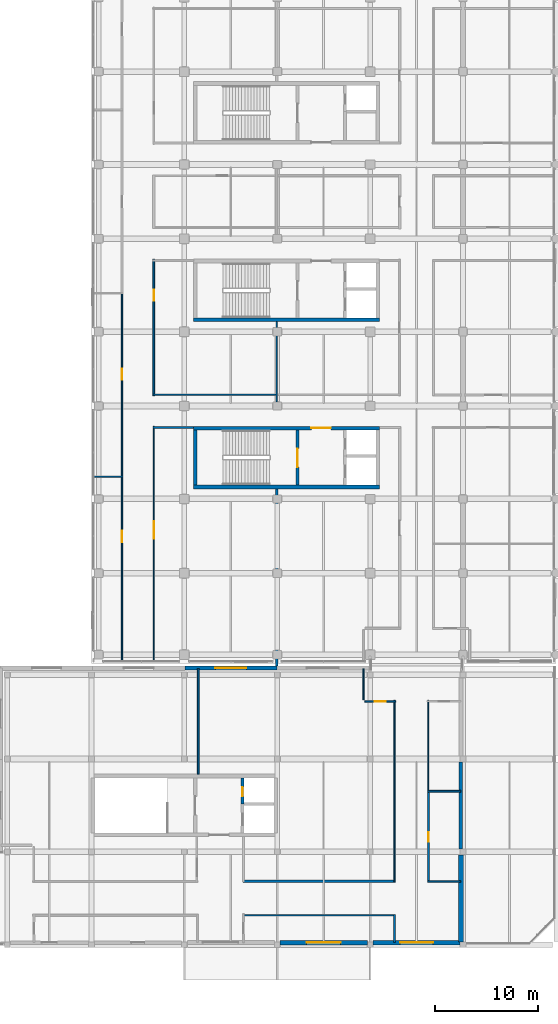
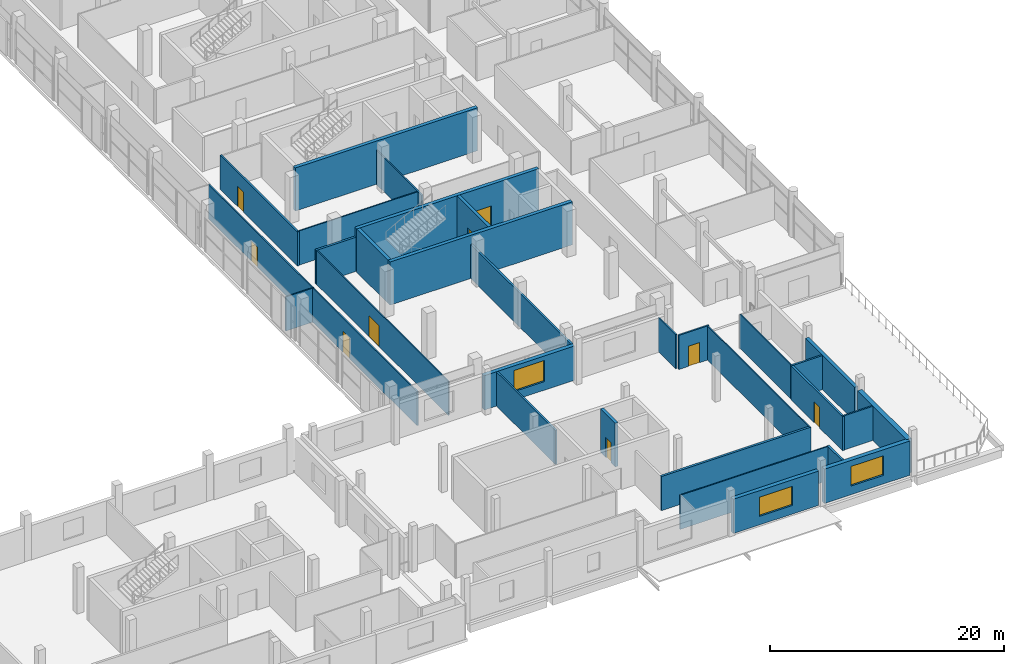
# One storey, part 76 of 111: 31 walls, 9 doors, 3 windows, 12 openings.
"""IFC4 building model written with IfcOpenShell, lengths in metres."""

import ifcopenshell
import ifcopenshell.guid

model = None  # the IFC model being written
_history = None  # IfcOwnerHistory: only IFC2X3 demands one
_inside = {}  # id of a spatial element -> (the spatial element, [elements in it])
_under = {}  # id of a project, library or spatial element -> (it, [spatial elements below it])
_declared = {}  # id of a project -> (the project, [libraries it declares])
_typed = {}  # id of a type object -> (the type object, [elements of that type])
_made_of = {}  # id of a material, layer set ... -> (it, [elements and type objects made of it])


def new_model(schema):
    """Start an empty IFC model of exactly this schema.

    Asked for "IFC4X3", IfcOpenShell would pick the latest addendum, in which some entities
    have other attributes; the version numbers below select the first issue.
    IFC2X3 requires an IfcOwnerHistory on every rooted entity: one is made here for all.
    """
    global model, _history
    if schema == "IFC4X3":
        model = ifcopenshell.file(schema_version=(4, 3, 0, 0))
    else:
        model = ifcopenshell.file(schema=schema)
    _inside.clear()
    _under.clear()
    _declared.clear()
    _typed.clear()
    _made_of.clear()
    _history = None
    if model.schema == "IFC2X3":
        org = make("IfcOrganization", Name="unknown")
        user = make(
            "IfcPersonAndOrganization",
            ThePerson=make("IfcPerson", FamilyName="unknown"),
            TheOrganization=org,
        )
        app = make(
            "IfcApplication",
            ApplicationDeveloper=org,
            Version="unknown",
            ApplicationFullName="unknown",
            ApplicationIdentifier="unknown",
        )
        _history = make(
            "IfcOwnerHistory",
            OwningUser=user,
            OwningApplication=app,
            ChangeAction="ADDED",
            CreationDate=0,
        )
    return model


def make(cls, **values):
    """One entity of the class cls with the attributes given. An attribute that is None is left unset."""
    return model.create_entity(
        cls, **{name: value for name, value in values.items() if value is not None}
    )


def rooted(cls, **values):
    """An entity with a GlobalId (a new one), such as an element, a storey or a relation."""
    return make(cls, GlobalId=ifcopenshell.guid.new(), OwnerHistory=_history, **values)


def si_unit(unit_type, name, prefix=None):
    """IfcSIUnit, for example si_unit("LENGTHUNIT", "METRE", prefix="MILLI")."""
    return make("IfcSIUnit", UnitType=unit_type, Prefix=prefix, Name=name)


def assignment(units):
    """IfcUnitAssignment: the units of a project."""
    return None if units is None else make("IfcUnitAssignment", Units=units)


def point(xyz):
    """IfcCartesianPoint."""
    return None if xyz is None else make("IfcCartesianPoint", Coordinates=xyz)


def direction(xyz):
    """IfcDirection."""
    return None if xyz is None else make("IfcDirection", DirectionRatios=xyz)


def frame(location, z_axis=None, x_axis=None):
    """IfcAxis2Placement3D, a coordinate frame: its origin and axes. An axis left out is left unset."""
    return make(
        "IfcAxis2Placement3D",
        Location=point(location),
        Axis=direction(z_axis),
        RefDirection=direction(x_axis),
    )


def frame_2d(location, x_axis=None):
    """IfcAxis2Placement2D, a coordinate frame in the plane: its origin and x axis."""
    return make(
        "IfcAxis2Placement2D", Location=point(location), RefDirection=direction(x_axis)
    )


def origin():
    """The frame at (0, 0, 0) with its axes left unset."""
    return frame((0.0, 0.0, 0.0))


def place(relative_to, where):
    """IfcLocalPlacement: puts the frame where relative to a parent placement (None: the world)."""
    return make(
        "IfcLocalPlacement", PlacementRelTo=relative_to, RelativePlacement=where
    )


def context(
    kind, dimensions, precision=None, world=None, true_north=None, identifier=None
):
    """IfcGeometricRepresentationContext, for example the 3D "Model" context."""
    return make(
        "IfcGeometricRepresentationContext",
        ContextIdentifier=identifier,
        ContextType=kind,
        CoordinateSpaceDimension=dimensions,
        Precision=precision,
        WorldCoordinateSystem=world,
        TrueNorth=true_north,
    )


def subcontext(parent, identifier, kind, view, scale=None):
    """IfcGeometricRepresentationSubContext, for example "Body" below "Model"."""
    return make(
        "IfcGeometricRepresentationSubContext",
        ContextIdentifier=identifier,
        ContextType=kind,
        ParentContext=parent,
        TargetScale=scale,
        TargetView=view,
    )


def project(units=None, contexts=None):
    """IfcProject with its units and contexts."""
    return rooted(
        "IfcProject",
        Name="project",
        RepresentationContexts=contexts,
        UnitsInContext=assignment(units),
    )


def spatial(cls, under=None, at=None, **own):
    """A site, building, storey or space (cls), placed at a placement, below another one or the project."""
    s = rooted(cls, ObjectPlacement=at, **own)
    if under is not None:
        _under.setdefault(under.id(), (under, []))[1].append(s)
    return s


def profile(cls, at=None, kind="AREA", **sizes):
    """A parametric profile (cls). Its sizes go by their IFC names, for example OverallWidth=200.0."""
    return make(cls, ProfileType=kind, Position=at, **sizes)


def rectangle(**sizes):
    """IfcRectangleProfileDef."""
    return profile("IfcRectangleProfileDef", **sizes)


def extrude(swept, where, along, depth):
    """IfcExtrudedAreaSolid: the profile swept, set in the frame where, extruded along a direction by depth."""
    return make(
        "IfcExtrudedAreaSolid",
        SweptArea=swept,
        Position=where,
        ExtrudedDirection=direction(along),
        Depth=depth,
    )


def shape(context_of_items, identifier, shape_type, items):
    """IfcShapeRepresentation: the items that make up one representation, for example the "Body"."""
    return make(
        "IfcShapeRepresentation",
        ContextOfItems=context_of_items,
        RepresentationIdentifier=identifier,
        RepresentationType=shape_type,
        Items=items,
    )


def material(Name=None, Category=None):
    """IfcMaterial."""
    return make("IfcMaterial", Name=Name, Category=Category)


def layer(
    of_material, thickness, ventilated=None, Name=None, Category=None, Priority=None
):
    """IfcMaterialLayer: one layer of a wall or slab, of a material (None: an air gap)."""
    return make(
        "IfcMaterialLayer",
        Material=of_material,
        LayerThickness=thickness,
        IsVentilated=ventilated,
        Name=Name,
        Category=Category,
        Priority=Priority,
    )


def layer_set(layers, Name=None):
    """IfcMaterialLayerSet."""
    return make("IfcMaterialLayerSet", MaterialLayers=layers, LayerSetName=Name)


def made_of(thing, what):
    """Note that an element or type object is made of a material, layer set ...; save() writes the relation."""
    if what is not None:
        _made_of.setdefault(what.id(), (what, []))[1].append(thing)
    return thing


def type_object(cls, material=None, **own):
    """A type object (cls), such as IfcWallType, which elements share."""
    return made_of(rooted(cls, **own), material)


def element(
    cls,
    number,
    at=None,
    inside=None,
    cuts=None,
    type_object=None,
    material=None,
    context=None,
    identifier="Body",
    shape_type=None,
    held_by="IfcProductDefinitionShape",
    body=None,
    shapes=None,
    **own,
):
    """One element of the class cls, such as IfcWall. Its Tag is "e" and its number.

    at: its placement. inside: the storey or other place that contains it. cuts: it is an
    opening in that element (IfcRelVoidsElement). A single representation is given by context,
    identifier, shape_type and body (its items); several are given by shapes. held_by: the class
    of the entity that holds the representations. save() writes the other relations.
    """
    e = rooted(cls, Tag="e%d" % number, ObjectPlacement=at, **own)
    if body is not None:
        shapes = [shape(context, identifier, shape_type, body)]
    if shapes is not None:
        e.Representation = make(held_by, Representations=shapes)
    if inside is not None:
        _inside.setdefault(inside.id(), (inside, []))[1].append(e)
    if cuts is not None:
        rooted(
            "IfcRelVoidsElement", RelatingBuildingElement=cuts, RelatedOpeningElement=e
        )
    if type_object is not None:
        _typed.setdefault(type_object.id(), (type_object, []))[1].append(e)
    return made_of(e, material)


def fill(opening, filler):
    """IfcRelFillsElement: the door or window that sits in an opening."""
    return rooted(
        "IfcRelFillsElement",
        RelatingOpeningElement=opening,
        RelatedBuildingElement=filler,
    )


def aggregate(whole, parts):
    """IfcRelAggregates: a whole, such as a stair, and the parts it consists of."""
    return rooted("IfcRelAggregates", RelatingObject=whole, RelatedObjects=parts)


def save(model, path):
    """Write the relations noted so far, then the file.

    IfcRelAggregates (storeys below a building ...), IfcRelContainedInSpatialStructure (elements
    in a storey), IfcRelDefinesByType, IfcRelAssociatesMaterial and IfcRelDeclares: one each for
    every whole, place, type object, material and project.
    """
    for whole, parts in _under.values():
        aggregate(whole, parts)
    for where, things in _inside.values():
        rooted(
            "IfcRelContainedInSpatialStructure",
            RelatedElements=things,
            RelatingStructure=where,
        )
    for kind, things in _typed.values():
        rooted("IfcRelDefinesByType", RelatedObjects=things, RelatingType=kind)
    for what, things in _made_of.values():
        rooted("IfcRelAssociatesMaterial", RelatedObjects=things, RelatingMaterial=what)
    for by, libraries in _declared.values():
        rooted("IfcRelDeclares", RelatingContext=by, RelatedDefinitions=libraries)
    model.write(path)


model = new_model("IFC4")

# Units and contexts
model_context = context("Model", 3, precision=1e-05, world=origin(), true_north=direction((0.0, 1.0)))
body_context = subcontext(model_context, "Body", "Model", "MODEL_VIEW")
ifc_project = project(units=[si_unit("LENGTHUNIT", "METRE"), si_unit("AREAUNIT", "SQUARE_METRE"), si_unit("VOLUMEUNIT", "CUBIC_METRE"), si_unit("PLANEANGLEUNIT", "RADIAN"), si_unit("MASSUNIT", "GRAM", prefix="KILO"), si_unit("THERMODYNAMICTEMPERATUREUNIT", "KELVIN"), si_unit("POWERUNIT", "WATT")], contexts=[model_context])

# Site, building, storey
site_placement = place(None, origin())
site = spatial("IfcSite", under=ifc_project, at=site_placement, CompositionType="ELEMENT")
building_placement = place(site_placement, origin())
building = spatial("IfcBuilding", under=site, at=building_placement, Name="Sindhuravela Promenade Stadium", CompositionType="ELEMENT")
storey_placement = place(building_placement, frame((0.0, 0.0, 9.60009765625)))
storey = spatial("IfcBuildingStorey", under=building, at=storey_placement, Name="L02", CompositionType="ELEMENT", Elevation=9.60009765625)

# Wall
ifc_material_1 = material(Name="Terracotta clay brick masonry (15 MPa)", Category="masonry")
ifc_layer_1 = layer(ifc_material_1, 0.340087890625)
ifc_layer_set_1 = layer_set([ifc_layer_1], Name="Terracotta clay brick masonry (15 MPa)")
wall_type_1 = type_object("IfcWallType", Name="EX-WL-BRK340", PredefinedType="SOLIDWALL", material=ifc_layer_set_1)
wall_1_placement = place(storey_placement, frame((206.800048828125, 26.719970703125, 0.0), z_axis=(0.0, 0.0, 1.0), x_axis=(0.0, -1.0, 0.0)))
element("IfcWall", 1, at=wall_1_placement, inside=storey, type_object=wall_type_1, Name="Exterior masonry wall EW06 Pavilion SE L02", PredefinedType="SOLIDWALL", context=body_context, shape_type="SweptSolid", body=[
    extrude(rectangle(XDim=8.43994140625, YDim=0.340087890625, at=frame_2d((4.219970703125, 0.0))), origin(), (0.0, 0.0, 1.0), 3.579833984375),
])

# Wall, opening, window
ifc_layer_2 = layer(ifc_material_1, 0.39990234375)
ifc_layer_set_2 = layer_set([ifc_layer_2], Name="Terracotta clay brick masonry (15 MPa)")
wall_type_2 = type_object("IfcWallType", Name="EX-WL-BRK400", PredefinedType="SOLIDWALL", material=ifc_layer_set_2)
wall_2_placement = place(storey_placement, frame((180.0400390625, 35.800048828125, 0.0), z_axis=(0.0, 0.0, 1.0), x_axis=(1.0, 0.0, 0.0)))
wall_2 = element("IfcWall", 2, at=wall_2_placement, inside=storey, type_object=wall_type_2, Name="Exterior masonry wall EW03 Pavilion SE L02", PredefinedType="SOLIDWALL", context=body_context, shape_type="SweptSolid", body=[
    extrude(rectangle(XDim=8.919921875, YDim=0.39990234375, at=frame_2d((4.4599609375, 0.0))), origin(), (0.0, 0.0, 1.0), 3.579833984375),
])
opening_1_placement = place(wall_2_placement, frame((2.9599609375, 0.0, 0.89990234375)))
opening_1 = element("IfcOpeningElement", 3, at=opening_1_placement, cuts=wall_2, Name="Opening W20", PredefinedType="OPENING", context=body_context, shape_type="SweptSolid", body=[
    extrude(rectangle(XDim=3.0, YDim=2.199951171875, at=frame_2d((1.5, 1.10009765625))), frame((0.0, 0.2099609375, 0.0), z_axis=(0.0, -1.0, 0.0), x_axis=(1.0, 0.0, 0.0)), (0.0, 0.0, 1.0), 0.419921875),
])
ifc_material_2 = material(Name="Tempered laminated low-E glass", Category="glass")
window_type_1 = type_object("IfcWindowType", Name="WN-FAC-3000x2200", PartitioningType="DOUBLE_PANEL_VERTICAL", PredefinedType="WINDOW", material=ifc_material_2)
window_1_placement = place(opening_1_placement, origin())
window_1 = element("IfcWindow", 4, at=window_1_placement, inside=storey, type_object=window_type_1, Name="Window W20 Pavilion SE L02", OverallHeight=2.199951171875, OverallWidth=3.0, PartitioningType="DOUBLE_PANEL_VERTICAL", PredefinedType="WINDOW", context=body_context, shape_type="SweptSolid", body=[
    extrude(rectangle(XDim=3.0, YDim=2.199951171875, at=frame_2d((1.5, 1.10009765625))), frame((0.0, 0.030029296875, 0.0), z_axis=(0.0, -1.0, 0.0), x_axis=(1.0, 0.0, 0.0)), (0.0, 0.0, 1.0), 0.06005859375),
])
fill(opening_1, window_1)

wall_3_placement = place(storey_placement, frame((197.719970703125, 9.199951171875, 0.0), z_axis=(0.0, 0.0, 1.0), x_axis=(-1.0, 0.0, 0.0)))
wall_3 = element("IfcWall", 5, at=wall_3_placement, inside=storey, type_object=wall_type_2, Name="Exterior masonry wall EW03 Pavilion SE L02", PredefinedType="SOLIDWALL", context=body_context, shape_type="SweptSolid", body=[
    extrude(rectangle(XDim=8.43994140625, YDim=0.39990234375, at=frame_2d((4.219970703125, 0.0))), origin(), (0.0, 0.0, 1.0), 3.579833984375),
])
opening_2_placement = place(wall_3_placement, frame((2.570068359375, 0.0, 0.89990234375)))
opening_2 = element("IfcOpeningElement", 6, at=opening_2_placement, cuts=wall_3, Name="Opening W23", PredefinedType="OPENING", context=body_context, shape_type="SweptSolid", body=[
    extrude(rectangle(XDim=3.300048828125, YDim=2.0, at=frame_2d((1.64990234375, 1.0))), frame((0.0, 0.2099609375, 0.0), z_axis=(0.0, -1.0, 0.0), x_axis=(1.0, 0.0, 0.0)), (0.0, 0.0, 1.0), 0.419921875),
])
window_type_2 = type_object("IfcWindowType", Name="WN-FAC-3300x2000", PartitioningType="DOUBLE_PANEL_VERTICAL", PredefinedType="WINDOW", material=ifc_material_2)
window_2_placement = place(opening_2_placement, origin())
window_2 = element("IfcWindow", 7, at=window_2_placement, inside=storey, type_object=window_type_2, Name="Window W23 Pavilion SE L02", OverallHeight=2.0, OverallWidth=3.300048828125, PartitioningType="DOUBLE_PANEL_VERTICAL", PredefinedType="WINDOW", context=body_context, shape_type="SweptSolid", body=[
    extrude(rectangle(XDim=3.300048828125, YDim=2.0, at=frame_2d((1.64990234375, 1.0))), frame((0.0, 0.030029296875, 0.0), z_axis=(0.0, -1.0, 0.0), x_axis=(1.0, 0.0, 0.0)), (0.0, 0.0, 1.0), 0.06005859375),
])
fill(opening_2, window_2)

ifc_layer_3 = layer(ifc_material_1, 0.419921875)
ifc_layer_set_3 = layer_set([ifc_layer_3], Name="Terracotta clay brick masonry (15 MPa)")
wall_type_3 = type_object("IfcWallType", Name="EX-WL-BRK420", PredefinedType="SOLIDWALL", material=ifc_layer_set_3)
wall_4_placement = place(storey_placement, frame((206.719970703125, 9.199951171875, 0.0), z_axis=(0.0, 0.0, 1.0), x_axis=(-1.0, 0.0, 0.0)))
wall_4 = element("IfcWall", 8, at=wall_4_placement, inside=storey, type_object=wall_type_3, Name="Exterior masonry wall EW02 Pavilion SE L02", PredefinedType="SOLIDWALL", context=body_context, shape_type="SweptSolid", body=[
    extrude(rectangle(XDim=8.43994140625, YDim=0.419921875, at=frame_2d((4.219970703125, 0.0))), origin(), (0.0, 0.0, 1.0), 3.579833984375),
])
opening_3_placement = place(wall_4_placement, frame((2.6201171875, 0.0, 0.89990234375)))
opening_3 = element("IfcOpeningElement", 9, at=opening_3_placement, cuts=wall_4, Name="Opening W22", PredefinedType="OPENING", context=body_context, shape_type="SweptSolid", body=[
    extrude(rectangle(XDim=3.199951171875, YDim=2.050048828125, at=frame_2d((1.60009765625, 1.02490234375))), frame((0.0, 0.219970703125, 0.0), z_axis=(0.0, -1.0, 0.0), x_axis=(1.0, 0.0, 0.0)), (0.0, 0.0, 1.0), 0.43994140625),
])
window_type_3 = type_object("IfcWindowType", Name="WN-FAC-3200x2050", PartitioningType="DOUBLE_PANEL_VERTICAL", PredefinedType="WINDOW", material=ifc_material_2)
window_3_placement = place(opening_3_placement, origin())
window_3 = element("IfcWindow", 10, at=window_3_placement, inside=storey, type_object=window_type_3, Name="Window W22 Pavilion SE L02", OverallHeight=2.050048828125, OverallWidth=3.199951171875, PartitioningType="DOUBLE_PANEL_VERTICAL", PredefinedType="WINDOW", context=body_context, shape_type="SweptSolid", body=[
    extrude(rectangle(XDim=3.199951171875, YDim=2.050048828125, at=frame_2d((1.60009765625, 1.02490234375))), frame((0.0, 0.030029296875, 0.0), z_axis=(0.0, -1.0, 0.0), x_axis=(1.0, 0.0, 0.0)), (0.0, 0.0, 1.0), 0.06005859375),
])
fill(opening_3, window_3)

# Wall
ifc_layer_4 = layer(ifc_material_1, 0.4599609375)
ifc_layer_set_4 = layer_set([ifc_layer_4], Name="Terracotta clay brick masonry (15 MPa)")
wall_type_4 = type_object("IfcWallType", Name="EX-WL-BRK460", PredefinedType="SOLIDWALL", material=ifc_layer_set_4)
wall_5_placement = place(storey_placement, frame((206.800048828125, 17.719970703125, 0.0), z_axis=(0.0, 0.0, 1.0), x_axis=(0.0, -1.0, 0.0)))
element("IfcWall", 11, at=wall_5_placement, inside=storey, type_object=wall_type_4, Name="Exterior masonry wall EW01 Pavilion SE L02", PredefinedType="SOLIDWALL", context=body_context, shape_type="SweptSolid", body=[
    extrude(rectangle(XDim=8.43994140625, YDim=0.4599609375, at=frame_2d((4.219970703125, 0.0))), origin(), (0.0, 0.0, 1.0), 3.579833984375),
])

# Wall, opening, door
ifc_material_3 = material(Name="Fire-rated gypsum partition board", Category="gypsum")
ifc_layer_5 = layer(ifc_material_3, 0.110107421875)
ifc_layer_set_5 = layer_set([ifc_layer_5], Name="Fire-rated gypsum partition board")
wall_type_5 = type_object("IfcWallType", Name="IN-WL-PAR110", PredefinedType="PARTITIONING", material=ifc_layer_set_5)
wall_6_placement = place(storey_placement, frame((177.0400390625, 59.22998046875, 0.0), z_axis=(0.0, 0.0, 1.0), x_axis=(0.0, -1.0, 0.0)))
wall_6 = element("IfcWall", 12, at=wall_6_placement, inside=storey, type_object=wall_type_5, Name="Corridor partition IW06 East Promenade Club Lounge", PredefinedType="PARTITIONING", context=body_context, shape_type="SweptSolid", body=[
    extrude(rectangle(XDim=22.780029296875, YDim=0.110107421875, at=frame_2d((11.39013671875, 0.0))), origin(), (0.0, 0.0, 1.0), 3.559814453125),
])
opening_4_placement = place(wall_6_placement, frame((9.1875, 0.0, 0.0)))
opening_4 = element("IfcOpeningElement", 13, at=opening_4_placement, cuts=wall_6, Name="Opening ID01", PredefinedType="OPENING", context=body_context, shape_type="SweptSolid", body=[
    extrude(rectangle(XDim=1.699951171875, YDim=2.199951171875, at=frame_2d((0.85009765625, 1.10009765625))), frame((0.0, 0.06494140625, 0.0), z_axis=(0.0, -1.0, 0.0), x_axis=(1.0, 0.0, 0.0)), (0.0, 0.0, 1.0), 0.130126953125),
])
ifc_material_4 = material(Name="Architectural teak timber leaf", Category="wood")
door_type_1 = type_object("IfcDoorType", Name="DR-INT-1700x2200", OperationType="DOUBLE_DOOR_SINGLE_SWING", PredefinedType="DOOR", material=ifc_material_4)
door_1_placement = place(opening_4_placement, origin())
door_1 = element("IfcDoor", 14, at=door_1_placement, inside=storey, type_object=door_type_1, Name="East Promenade Club Lounge door", OperationType="DOUBLE_DOOR_SINGLE_SWING", OverallHeight=2.199951171875, OverallWidth=1.699951171875, PredefinedType="DOOR", context=body_context, shape_type="SweptSolid", body=[
    extrude(rectangle(XDim=1.699951171875, YDim=2.199951171875, at=frame_2d((0.85009765625, 1.10009765625))), frame((0.0, 0.02490234375, 0.0), z_axis=(0.0, -1.0, 0.0), x_axis=(1.0, 0.0, 0.0)), (0.0, 0.0, 1.0), 0.050048828125),
])
fill(opening_4, door_1)

# Walls
wall_7_placement = place(storey_placement, frame((188.909912109375, 62.2900390625, 0.0), z_axis=(0.0, 0.0, 1.0), x_axis=(-1.0, 0.0, 0.0)))
element("IfcWall", 15, at=wall_7_placement, inside=storey, type_object=wall_type_5, Name="Interior partition IW06 EAST L02", PredefinedType="PARTITIONING", context=body_context, shape_type="SweptSolid", body=[
    extrude(rectangle(XDim=11.949951171875, YDim=0.110107421875, at=frame_2d((5.97509765625, 0.0))), origin(), (0.0, 0.0, 1.0), 3.559814453125),
])
wall_8_placement = place(storey_placement, frame((171.23291015625, 54.342041015625, 0.0), z_axis=(0.0, 0.0, 1.0), x_axis=(1.0, 0.0, 0.0)))
element("IfcWall", 16, at=wall_8_placement, inside=storey, type_object=wall_type_5, Name="Interior partition IW06 EAST L02", PredefinedType="PARTITIONING", context=body_context, shape_type="SweptSolid", body=[
    extrude(rectangle(XDim=2.80712890625, YDim=0.110107421875, at=frame_2d((1.403564453125, 0.0))), origin(), (0.0, 0.0, 1.0), 3.559814453125),
])
wall_9_placement = place(storey_placement, frame((200.360107421875, 32.669921875, 0.0), z_axis=(0.0, 0.0, 1.0), x_axis=(0.0, -1.0, 0.0)))
element("IfcWall", 17, at=wall_9_placement, inside=storey, type_object=wall_type_5, Name="Interior partition IW06 Pavilion SE L02", PredefinedType="PARTITIONING", context=body_context, shape_type="SweptSolid", body=[
    extrude(rectangle(XDim=17.60986328125, YDim=0.110107421875, at=frame_2d((8.804931640625, 0.0))), origin(), (0.0, 0.0, 1.0), 3.559814453125),
])
wall_10_placement = place(storey_placement, frame((185.659912109375, 11.860107421875, 0.0), z_axis=(0.0, 0.0, 1.0), x_axis=(1.0, 0.0, 0.0)))
element("IfcWall", 18, at=wall_10_placement, inside=storey, type_object=wall_type_5, Name="Interior partition IW06 Pavilion SE L02", PredefinedType="PARTITIONING", context=body_context, shape_type="SweptSolid", body=[
    extrude(rectangle(XDim=14.780029296875, YDim=0.110107421875, at=frame_2d((7.39013671875, 0.0))), origin(), (0.0, 0.0, 1.0), 3.559814453125),
])
wall_11_placement = place(storey_placement, frame((203.639892578125, 23.905029296875, 0.0), z_axis=(0.0, 0.0, 1.0), x_axis=(0.0, 1.0, 0.0)))
element("IfcWall", 19, at=wall_11_placement, inside=storey, type_object=wall_type_5, Name="Interior partition IW06 Pavilion SE L02", PredefinedType="PARTITIONING", context=body_context, shape_type="SweptSolid", body=[
    extrude(rectangle(XDim=8.764892578125, YDim=0.110107421875, at=frame_2d((4.38232421875, 0.0))), origin(), (0.0, 0.0, 1.0), 3.559814453125),
])
ifc_layer_6 = layer(ifc_material_3, 0.1298828125)
ifc_layer_set_6 = layer_set([ifc_layer_6], Name="Fire-rated gypsum partition board")
wall_type_6 = type_object("IfcWallType", Name="IN-WL-PAR130", PredefinedType="PARTITIONING", material=ifc_layer_set_6)
wall_12_placement = place(storey_placement, frame((188.949951171875, 69.373046875, 0.0), z_axis=(0.0, 0.0, 1.0), x_axis=(0.0, -1.0, 0.0)))
element("IfcWall", 20, at=wall_12_placement, inside=storey, type_object=wall_type_6, Name="Interior partition IW05 EAST L02", PredefinedType="PARTITIONING", context=body_context, shape_type="SweptSolid", body=[
    extrude(rectangle(XDim=7.77099609375, YDim=0.1298828125, at=frame_2d((3.885498046875, 0.0))), origin(), (0.0, 0.0, 1.0), 3.559814453125),
])

# Wall, opening, door
wall_13_placement = place(storey_placement, frame((173.9599609375, 36.449951171875, 0.0), z_axis=(0.0, 0.0, 1.0), x_axis=(0.0, 1.0, 0.0)))
wall_13 = element("IfcWall", 21, at=wall_13_placement, inside=storey, type_object=wall_type_6, Name="Corridor partition IW05 Museum Archive Reading Room 12", PredefinedType="PARTITIONING", context=body_context, shape_type="SweptSolid", body=[
    extrude(rectangle(XDim=17.89208984375, YDim=0.1298828125, at=frame_2d((8.946044921875, 0.0))), origin(), (0.0, 0.0, 1.0), 3.559814453125),
])
opening_5_placement = place(wall_13_placement, frame((11.5634765625, 0.0, 0.0)))
opening_5 = element("IfcOpeningElement", 22, at=opening_5_placement, cuts=wall_13, Name="Opening ID13", PredefinedType="OPENING", context=body_context, shape_type="SweptSolid", body=[
    extrude(rectangle(XDim=1.1201171875, YDim=2.219970703125, at=frame_2d((0.56005859375, 1.10986328125))), frame((0.0, 0.074951171875, 0.0), z_axis=(0.0, -1.0, 0.0), x_axis=(1.0, 0.0, 0.0)), (0.0, 0.0, 1.0), 0.14990234375),
])
door_type_2 = type_object("IfcDoorType", Name="DR-INT-1120x2220", OperationType="NOTDEFINED", PredefinedType="DOOR", material=ifc_material_4)
door_2_placement = place(opening_5_placement, origin())
door_2 = element("IfcDoor", 23, at=door_2_placement, inside=storey, type_object=door_type_2, Name="Museum Archive Reading Room 12 door", OperationType="SINGLE_SWING_LEFT", OverallHeight=2.219970703125, OverallWidth=1.1201171875, PredefinedType="DOOR", context=body_context, shape_type="SweptSolid", body=[
    extrude(rectangle(XDim=1.1201171875, YDim=2.219970703125, at=frame_2d((0.56005859375, 1.10986328125))), frame((0.0, 0.02490234375, 0.0), z_axis=(0.0, -1.0, 0.0), x_axis=(1.0, 0.0, 0.0)), (0.0, 0.0, 1.0), 0.050048828125),
])
fill(opening_5, door_2)

wall_14_placement = place(storey_placement, frame((173.9599609375, 54.342041015625, 0.0), z_axis=(0.0, 0.0, 1.0), x_axis=(0.0, 1.0, 0.0)))
wall_14 = element("IfcWall", 24, at=wall_14_placement, inside=storey, type_object=wall_type_6, Name="Corridor partition IW05 Club Toilet Suite East L02 15", PredefinedType="PARTITIONING", context=body_context, shape_type="SweptSolid", body=[
    extrude(rectangle(XDim=17.77197265625, YDim=0.1298828125, at=frame_2d((8.885986328125, 0.0))), origin(), (0.0, 0.0, 1.0), 3.559814453125),
])
opening_6_placement = place(wall_14_placement, frame((9.387939453125, 0.0, 0.0)))
opening_6 = element("IfcOpeningElement", 25, at=opening_6_placement, cuts=wall_14, Name="Opening ID06", PredefinedType="OPENING", context=body_context, shape_type="SweptSolid", body=[
    extrude(rectangle(XDim=1.10009765625, YDim=2.10009765625, at=frame_2d((0.550048828125, 1.050048828125))), frame((0.0, 0.074951171875, 0.0), z_axis=(0.0, -1.0, 0.0), x_axis=(1.0, 0.0, 0.0)), (0.0, 0.0, 1.0), 0.14990234375),
])
door_type_3 = type_object("IfcDoorType", Name="DR-INT-1100x2100", OperationType="NOTDEFINED", PredefinedType="DOOR", material=ifc_material_4)
door_3_placement = place(opening_6_placement, origin())
door_3 = element("IfcDoor", 26, at=door_3_placement, inside=storey, type_object=door_type_3, Name="Club Toilet Suite East L02 15 door", OperationType="SINGLE_SWING_RIGHT", OverallHeight=2.10009765625, OverallWidth=1.10009765625, PredefinedType="DOOR", context=body_context, shape_type="SweptSolid", body=[
    extrude(rectangle(XDim=1.10009765625, YDim=2.10009765625, at=frame_2d((0.550048828125, 1.050048828125))), frame((0.0, 0.02490234375, 0.0), z_axis=(0.0, -1.0, 0.0), x_axis=(1.0, 0.0, 0.0)), (0.0, 0.0, 1.0), 0.050048828125),
])
fill(opening_6, door_3)

# Wall
wall_15_placement = place(storey_placement, frame((197.360107421875, 35.760009765625, 0.0), z_axis=(0.0, 0.0, 1.0), x_axis=(0.0, -1.0, 0.0)))
element("IfcWall", 27, at=wall_15_placement, inside=storey, type_object=wall_type_6, Name="Interior partition IW05 Pavilion SE L02", PredefinedType="PARTITIONING", context=body_context, shape_type="SweptSolid", body=[
    extrude(rectangle(XDim=3.010009765625, YDim=0.1298828125, at=frame_2d((1.5048828125, 0.0))), origin(), (0.0, 0.0, 1.0), 3.559814453125),
])

# Wall, opening, door
ifc_layer_7 = layer(ifc_material_3, 0.14990234375)
ifc_layer_set_7 = layer_set([ifc_layer_7], Name="Fire-rated gypsum partition board")
wall_type_7 = type_object("IfcWallType", Name="IN-WL-PAR150", PredefinedType="PARTITIONING", material=ifc_layer_set_7)
wall_16_placement = place(storey_placement, frame((200.47998046875, 32.590087890625, 0.0), z_axis=(0.0, 0.0, 1.0), x_axis=(-1.0, 0.0, 0.0)))
wall_16 = element("IfcWall", 28, at=wall_16_placement, inside=storey, type_object=wall_type_7, Name="Corridor partition IW04 Pavilion Parkview Club Lounge SE", PredefinedType="PARTITIONING", context=body_context, shape_type="SweptSolid", body=[
    extrude(rectangle(XDim=3.0, YDim=0.14990234375, at=frame_2d((1.5, 0.0))), origin(), (0.0, 0.0, 1.0), 3.559814453125),
])
opening_7_placement = place(wall_16_placement, frame((0.949951171875, 0.0, 0.0)))
opening_7 = element("IfcOpeningElement", 29, at=opening_7_placement, cuts=wall_16, Name="Opening ID06", PredefinedType="OPENING", context=body_context, shape_type="SweptSolid", body=[
    extrude(rectangle(XDim=1.10009765625, YDim=2.10009765625, at=frame_2d((0.550048828125, 1.050048828125))), frame((0.0, 0.0849609375, 0.0), z_axis=(0.0, -1.0, 0.0), x_axis=(1.0, 0.0, 0.0)), (0.0, 0.0, 1.0), 0.169921875),
])
door_4_placement = place(opening_7_placement, origin())
door_4 = element("IfcDoor", 30, at=door_4_placement, inside=storey, type_object=door_type_3, Name="Pavilion Parkview Club Lounge SE door", OperationType="SINGLE_SWING_RIGHT", OverallHeight=2.10009765625, OverallWidth=1.10009765625, PredefinedType="DOOR", context=body_context, shape_type="SweptSolid", body=[
    extrude(rectangle(XDim=1.10009765625, YDim=2.10009765625, at=frame_2d((0.550048828125, 1.050048828125))), frame((0.0, 0.02490234375, 0.0), z_axis=(0.0, -1.0, 0.0), x_axis=(1.0, 0.0, 0.0)), (0.0, 0.0, 1.0), 0.050048828125),
])
fill(opening_7, door_4)

# Wall
wall_17_placement = place(storey_placement, frame((206.760009765625, 15.139892578125, 0.0), z_axis=(0.0, 0.0, 1.0), x_axis=(-1.0, 0.0, 0.0)))
element("IfcWall", 31, at=wall_17_placement, inside=storey, type_object=wall_type_7, Name="Interior partition IW04 Pavilion SE L02", PredefinedType="PARTITIONING", context=body_context, shape_type="SweptSolid", body=[
    extrude(rectangle(XDim=3.199951171875, YDim=0.14990234375, at=frame_2d((1.60009765625, 0.0))), origin(), (0.0, 0.0, 1.0), 3.559814453125),
])

# Wall, opening, door
ifc_layer_8 = layer(ifc_material_3, 0.175048828125)
ifc_layer_set_8 = layer_set([ifc_layer_8], Name="Fire-rated gypsum partition board")
wall_type_8 = type_object("IfcWallType", Name="IN-WL-PAR175", PredefinedType="PARTITIONING", material=ifc_layer_set_8)
wall_18_placement = place(storey_placement, frame((177.0400390625, 75.429931640625, 0.0), z_axis=(0.0, 0.0, 1.0), x_axis=(0.0, -1.0, 0.0)))
wall_18 = element("IfcWall", 32, at=wall_18_placement, inside=storey, type_object=wall_type_8, Name="Corridor partition IW03 Catering Pantry East L02 6", PredefinedType="PARTITIONING", context=body_context, shape_type="SweptSolid", body=[
    extrude(rectangle(XDim=13.260009765625, YDim=0.175048828125, at=frame_2d((6.6298828125, 0.0))), origin(), (0.0, 0.0, 1.0), 3.559814453125),
])
opening_8_placement = place(wall_18_placement, frame((2.980224609375, 0.0, 0.0)))
opening_8 = element("IfcOpeningElement", 33, at=opening_8_placement, cuts=wall_18, Name="Opening ID07", PredefinedType="OPENING", context=body_context, shape_type="SweptSolid", body=[
    extrude(rectangle(XDim=1.050048828125, YDim=2.10009765625, at=frame_2d((0.52490234375, 1.050048828125))), frame((0.0, 0.097412109375, 0.0), z_axis=(0.0, -1.0, 0.0), x_axis=(1.0, 0.0, 0.0)), (0.0, 0.0, 1.0), 0.195068359375),
])
door_type_4 = type_object("IfcDoorType", Name="DR-INT-1050x2100", OperationType="NOTDEFINED", PredefinedType="DOOR", material=ifc_material_4)
door_5_placement = place(opening_8_placement, origin())
door_5 = element("IfcDoor", 34, at=door_5_placement, inside=storey, type_object=door_type_4, Name="Catering Pantry East L02 6 door", OperationType="SINGLE_SWING_LEFT", OverallHeight=2.10009765625, OverallWidth=1.050048828125, PredefinedType="DOOR", context=body_context, shape_type="SweptSolid", body=[
    extrude(rectangle(XDim=1.050048828125, YDim=2.10009765625, at=frame_2d((0.52490234375, 1.050048828125))), frame((0.0, 0.02490234375, 0.0), z_axis=(0.0, -1.0, 0.0), x_axis=(1.0, 0.0, 0.0)), (0.0, 0.0, 1.0), 0.050048828125),
])
fill(opening_8, door_5)

# Walls
wall_19_placement = place(storey_placement, frame((181.340087890625, 25.527099609375, 0.0), z_axis=(0.0, 0.0, 1.0), x_axis=(0.0, 1.0, 0.0)))
element("IfcWall", 35, at=wall_19_placement, inside=storey, type_object=wall_type_8, Name="Interior partition IW03 Pavilion SE L02", PredefinedType="PARTITIONING", context=body_context, shape_type="SweptSolid", body=[
    extrude(rectangle(XDim=10.23291015625, YDim=0.175048828125, at=frame_2d((5.116455078125, 0.0))), origin(), (0.0, 0.0, 1.0), 3.559814453125),
])
wall_20_placement = place(storey_placement, frame((203.56005859375, 23.864990234375, 0.0), z_axis=(0.0, 0.0, 1.0), x_axis=(1.0, 0.0, 0.0)))
element("IfcWall", 36, at=wall_20_placement, inside=storey, type_object=wall_type_8, Name="Interior partition IW03 Pavilion SE L02", PredefinedType="PARTITIONING", context=body_context, shape_type="SweptSolid", body=[
    extrude(rectangle(XDim=3.199951171875, YDim=0.175048828125, at=frame_2d((1.60009765625, 0.0))), origin(), (0.0, 0.0, 1.0), 3.559814453125),
])
ifc_layer_9 = layer(ifc_material_3, 0.195068359375)
ifc_layer_set_9 = layer_set([ifc_layer_9], Name="Fire-rated gypsum partition board")
wall_type_9 = type_object("IfcWallType", Name="IN-WL-PAR195", PredefinedType="PARTITIONING", material=ifc_layer_set_9)
wall_21_placement = place(storey_placement, frame((188.949951171875, 53.173095703125, 0.0), z_axis=(0.0, 0.0, 1.0), x_axis=(0.0, -1.0, 0.0)))
element("IfcWall", 37, at=wall_21_placement, inside=storey, type_object=wall_type_9, Name="Interior partition IW02 EAST L02", PredefinedType="PARTITIONING", context=body_context, shape_type="SweptSolid", body=[
    extrude(rectangle(XDim=17.170166015625, YDim=0.195068359375, at=frame_2d((8.5849609375, 0.0))), origin(), (0.0, 0.0, 1.0), 3.559814453125),
])

# Wall, opening, door
wall_22_placement = place(storey_placement, frame((203.639892578125, 23.864990234375, 0.0), z_axis=(0.0, 0.0, 1.0), x_axis=(0.0, -1.0, 0.0)))
wall_22 = element("IfcWall", 38, at=wall_22_placement, inside=storey, type_object=wall_type_9, Name="Corridor partition IW02 Civic Exhibition Salon SE 3", PredefinedType="PARTITIONING", context=body_context, shape_type="SweptSolid", body=[
    extrude(rectangle(XDim=8.844970703125, YDim=0.195068359375, at=frame_2d((4.42236328125, 0.0))), origin(), (0.0, 0.0, 1.0), 3.559814453125),
])
opening_9_placement = place(wall_22_placement, frame((3.947509765625, 0.0, 0.0)))
opening_9 = element("IfcOpeningElement", 39, at=opening_9_placement, cuts=wall_22, Name="Opening ID10", PredefinedType="OPENING", context=body_context, shape_type="SweptSolid", body=[
    extrude(rectangle(XDim=0.949951171875, YDim=2.179931640625, at=frame_2d((0.47509765625, 1.08984375))), frame((0.0, 0.107421875, 0.0), z_axis=(0.0, -1.0, 0.0), x_axis=(1.0, 0.0, 0.0)), (0.0, 0.0, 1.0), 0.215087890625),
])
door_type_5 = type_object("IfcDoorType", Name="DR-INT-950x2180", OperationType="NOTDEFINED", PredefinedType="DOOR", material=ifc_material_4)
door_6_placement = place(opening_9_placement, origin())
door_6 = element("IfcDoor", 40, at=door_6_placement, inside=storey, type_object=door_type_5, Name="Civic Exhibition Salon SE 3 door", OperationType="SINGLE_SWING_LEFT", OverallHeight=2.179931640625, OverallWidth=0.949951171875, PredefinedType="DOOR", context=body_context, shape_type="SweptSolid", body=[
    extrude(rectangle(XDim=0.949951171875, YDim=2.179931640625, at=frame_2d((0.47509765625, 1.08984375))), frame((0.0, 0.02490234375, 0.0), z_axis=(0.0, -1.0, 0.0), x_axis=(1.0, 0.0, 0.0)), (0.0, 0.0, 1.0), 0.050048828125),
])
fill(opening_9, door_6)

# Walls
ifc_layer_10 = layer(ifc_material_3, 0.219970703125)
ifc_layer_set_10 = layer_set([ifc_layer_10], Name="Fire-rated gypsum partition board")
wall_type_10 = type_object("IfcWallType", Name="IN-WL-PAR220", PredefinedType="PARTITIONING", material=ifc_layer_set_10)
wall_23_placement = place(storey_placement, frame((176.9599609375, 59.110107421875, 0.0), z_axis=(0.0, 0.0, 1.0), x_axis=(1.0, 0.0, 0.0)))
element("IfcWall", 41, at=wall_23_placement, inside=storey, type_object=wall_type_10, Name="Interior partition IW01 EAST L02", PredefinedType="PARTITIONING", context=body_context, shape_type="SweptSolid", body=[
    extrude(rectangle(XDim=3.93798828125, YDim=0.219970703125, at=frame_2d((1.968994140625, 0.0))), origin(), (0.0, 0.0, 1.0), 3.559814453125),
])
wall_24_placement = place(storey_placement, frame((200.43994140625, 15.139892578125, 0.0), z_axis=(0.0, 0.0, 1.0), x_axis=(-1.0, 0.0, 0.0)))
element("IfcWall", 42, at=wall_24_placement, inside=storey, type_object=wall_type_10, Name="Interior partition IW01 Pavilion SE L02", PredefinedType="PARTITIONING", context=body_context, shape_type="SweptSolid", body=[
    extrude(rectangle(XDim=14.780029296875, YDim=0.219970703125, at=frame_2d((7.39013671875, 0.0))), origin(), (0.0, 0.0, 1.0), 3.559814453125),
])
wall_25_placement = place(storey_placement, frame((200.360107421875, 11.93994140625, 0.0), z_axis=(0.0, 0.0, 1.0), x_axis=(0.0, -1.0, 0.0)))
element("IfcWall", 43, at=wall_25_placement, inside=storey, type_object=wall_type_10, Name="Interior partition IW01 Pavilion SE L02", PredefinedType="PARTITIONING", context=body_context, shape_type="SweptSolid", body=[
    extrude(rectangle(XDim=2.699951171875, YDim=0.219970703125, at=frame_2d((1.35009765625, 0.0))), origin(), (0.0, 0.0, 1.0), 3.559814453125),
])

# Wall, opening, door
ifc_material_5 = material(Name="Concrete M50", Category="concrete")
ifc_layer_11 = layer(ifc_material_5, 0.300048828125)
ifc_layer_set_11 = layer_set([ifc_layer_11], Name="Concrete M50")
wall_type_11 = type_object("IfcWallType", Name="RC-SW-300", PredefinedType="SHEAR", material=ifc_layer_set_11)
wall_26_placement = place(storey_placement, frame((190.949951171875, 53.52490234375, 0.0), z_axis=(0.0, 0.0, 1.0), x_axis=(0.0, 1.0, 0.0)))
wall_26 = element("IfcWall", 44, at=wall_26_placement, inside=storey, type_object=wall_type_11, Name="Core shear wall C05-ST (L02)", PredefinedType="SHEAR", context=body_context, shape_type="SweptSolid", body=[
    extrude(rectangle(XDim=5.35009765625, YDim=0.300048828125, at=frame_2d((2.675048828125, 0.0))), origin(), (0.0, 0.0, 1.0), 4.5),
])
opening_10_placement = place(wall_26_placement, frame((1.75, 0.0, 0.0)))
opening_10 = element("IfcOpeningElement", 45, at=opening_10_placement, cuts=wall_26, Name="Opening FD01", PredefinedType="OPENING", context=body_context, shape_type="SweptSolid", body=[
    extrude(rectangle(XDim=1.800048828125, YDim=2.25, at=frame_2d((0.89990234375, 1.125))), frame((0.0, 0.159912109375, 0.0), z_axis=(0.0, -1.0, 0.0), x_axis=(1.0, 0.0, 0.0)), (0.0, 0.0, 1.0), 0.320068359375),
])
ifc_material_6 = material(Name="Architectural wrought steel E350", Category="steel")
door_type_6 = type_object("IfcDoorType", Name="DR-CORE-1800x2250", OperationType="DOUBLE_DOOR_SINGLE_SWING", PredefinedType="DOOR", material=ifc_material_6)
door_7_placement = place(opening_10_placement, origin())
door_7 = element("IfcDoor", 46, at=door_7_placement, inside=storey, type_object=door_type_6, Name="Stair ST05 lobby fire door (L02)", OperationType="DOUBLE_DOOR_SINGLE_SWING", OverallHeight=2.25, OverallWidth=1.800048828125, PredefinedType="DOOR", context=body_context, shape_type="SweptSolid", body=[
    extrude(rectangle(XDim=1.800048828125, YDim=2.25, at=frame_2d((0.89990234375, 1.125))), frame((0.0, 0.02490234375, 0.0), z_axis=(0.0, -1.0, 0.0), x_axis=(1.0, 0.0, 0.0)), (0.0, 0.0, 1.0), 0.050048828125),
])
fill(opening_10, door_7)

wall_27_placement = place(storey_placement, frame((185.64990234375, 22.64990234375, 0.0), z_axis=(0.0, 0.0, 1.0), x_axis=(0.0, 1.0, 0.0)))
wall_27 = element("IfcWall", 47, at=wall_27_placement, inside=storey, type_object=wall_type_11, Name="Core shear wall C14-RSR (L02)", PredefinedType="SHEAR", context=body_context, shape_type="SweptSolid", body=[
    extrude(rectangle(XDim=2.525146484375, YDim=0.300048828125, at=frame_2d((1.2626953125, 0.0))), origin(), (0.0, 0.0, 1.0), 4.554931640625),
])
opening_11_placement = place(wall_27_placement, frame((0.72509765625, 0.0, 0.0)))
opening_11 = element("IfcOpeningElement", 48, at=opening_11_placement, cuts=wall_27, Name="Opening FD03", PredefinedType="OPENING", context=body_context, shape_type="SweptSolid", body=[
    extrude(rectangle(XDim=0.89990234375, YDim=2.10009765625, at=frame_2d((0.449951171875, 1.050048828125))), frame((0.0, 0.159912109375, 0.0), z_axis=(0.0, -1.0, 0.0), x_axis=(1.0, 0.0, 0.0)), (0.0, 0.0, 1.0), 0.320068359375),
])
door_type_7 = type_object("IfcDoorType", Name="DR-RSR-900x2100", OperationType="NOTDEFINED", PredefinedType="DOOR", material=ifc_material_6)
door_8_placement = place(opening_11_placement, origin())
door_8 = element("IfcDoor", 49, at=door_8_placement, inside=storey, type_object=door_type_7, Name="Riser shaft access door C14 (L02)", OperationType="SINGLE_SWING_LEFT", OverallHeight=2.10009765625, OverallWidth=0.89990234375, PredefinedType="DOOR", context=body_context, shape_type="SweptSolid", body=[
    extrude(rectangle(XDim=0.89990234375, YDim=2.10009765625, at=frame_2d((0.449951171875, 1.050048828125))), frame((0.0, 0.02490234375, 0.0), z_axis=(0.0, -1.0, 0.0), x_axis=(1.0, 0.0, 0.0)), (0.0, 0.0, 1.0), 0.050048828125),
])
fill(opening_11, door_8)

# Wall
ifc_layer_12 = layer(ifc_material_5, 0.35009765625)
ifc_layer_set_12 = layer_set([ifc_layer_12], Name="Concrete M50")
wall_type_12 = type_object("IfcWallType", Name="RC-SW-350", PredefinedType="SHEAR", material=ifc_layer_set_12)
wall_28_placement = place(storey_placement, frame((180.89990234375, 53.35009765625, 0.0), z_axis=(0.0, 0.0, 1.0), x_axis=(1.0, 0.0, 0.0)))
element("IfcWall", 50, at=wall_28_placement, inside=storey, type_object=wall_type_12, Name="Core shear wall C05-S (L02)", PredefinedType="SHEAR", context=body_context, shape_type="SweptSolid", body=[
    extrude(rectangle(XDim=18.0, YDim=0.35009765625, at=frame_2d((9.0, 0.0))), origin(), (0.0, 0.0, 1.0), 4.5),
])

# Wall, opening, door
wall_29_placement = place(storey_placement, frame((198.89990234375, 59.050048828125, 0.0), z_axis=(0.0, 0.0, 1.0), x_axis=(-1.0, 0.0, 0.0)))
wall_29 = element("IfcWall", 51, at=wall_29_placement, inside=storey, type_object=wall_type_12, Name="Core shear wall C05-N (L02)", PredefinedType="SHEAR", context=body_context, shape_type="SweptSolid", body=[
    extrude(rectangle(XDim=18.0, YDim=0.35009765625, at=frame_2d((9.0, 0.0))), origin(), (0.0, 0.0, 1.0), 4.5),
])
opening_12_placement = place(wall_29_placement, frame((4.699951171875, 0.0, 0.0)))
opening_12 = element("IfcOpeningElement", 52, at=opening_12_placement, cuts=wall_29, Name="Opening FD02", PredefinedType="OPENING", context=body_context, shape_type="SweptSolid", body=[
    extrude(rectangle(XDim=1.89990234375, YDim=2.25, at=frame_2d((0.949951171875, 1.125))), frame((0.0, 0.18505859375, 0.0), z_axis=(0.0, -1.0, 0.0), x_axis=(1.0, 0.0, 0.0)), (0.0, 0.0, 1.0), 0.3701171875),
])
door_type_8 = type_object("IfcDoorType", Name="DR-LOB-1900x2250", OperationType="DOUBLE_DOOR_SINGLE_SWING", PredefinedType="DOOR", material=ifc_material_6)
door_9_placement = place(opening_12_placement, origin())
door_9 = element("IfcDoor", 53, at=door_9_placement, inside=storey, type_object=door_type_8, Name="Protected lobby entrance door C05 (L02)", OperationType="DOUBLE_DOOR_SINGLE_SWING", OverallHeight=2.25, OverallWidth=1.89990234375, PredefinedType="DOOR", context=body_context, shape_type="SweptSolid", body=[
    extrude(rectangle(XDim=1.89990234375, YDim=2.25, at=frame_2d((0.949951171875, 1.125))), frame((0.0, 0.02490234375, 0.0), z_axis=(0.0, -1.0, 0.0), x_axis=(1.0, 0.0, 0.0)), (0.0, 0.0, 1.0), 0.050048828125),
])
fill(opening_12, door_9)

# Walls
wall_30_placement = place(storey_placement, frame((181.050048828125, 58.875, 0.0), z_axis=(0.0, 0.0, 1.0), x_axis=(0.0, -1.0, 0.0)))
element("IfcWall", 54, at=wall_30_placement, inside=storey, type_object=wall_type_12, Name="Core shear wall C05-W (L02)", PredefinedType="SHEAR", context=body_context, shape_type="SweptSolid", body=[
    extrude(rectangle(XDim=5.35009765625, YDim=0.35009765625, at=frame_2d((2.675048828125, 0.0))), origin(), (0.0, 0.0, 1.0), 4.5),
])
wall_31_placement = place(storey_placement, frame((180.89990234375, 69.550048828125, 0.0), z_axis=(0.0, 0.0, 1.0), x_axis=(1.0, 0.0, 0.0)))
element("IfcWall", 55, at=wall_31_placement, inside=storey, type_object=wall_type_12, Name="Core shear wall C06-S (L02)", PredefinedType="SHEAR", context=body_context, shape_type="SweptSolid", body=[
    extrude(rectangle(XDim=18.0, YDim=0.35009765625, at=frame_2d((9.0, 0.0))), origin(), (0.0, 0.0, 1.0), 4.5),
])

save(model, "model.ifc")
